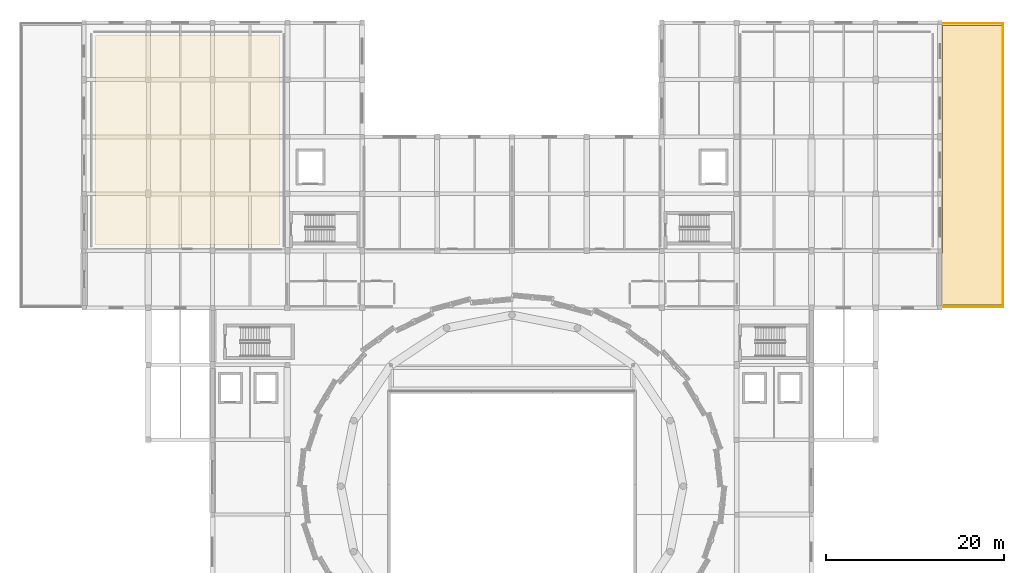
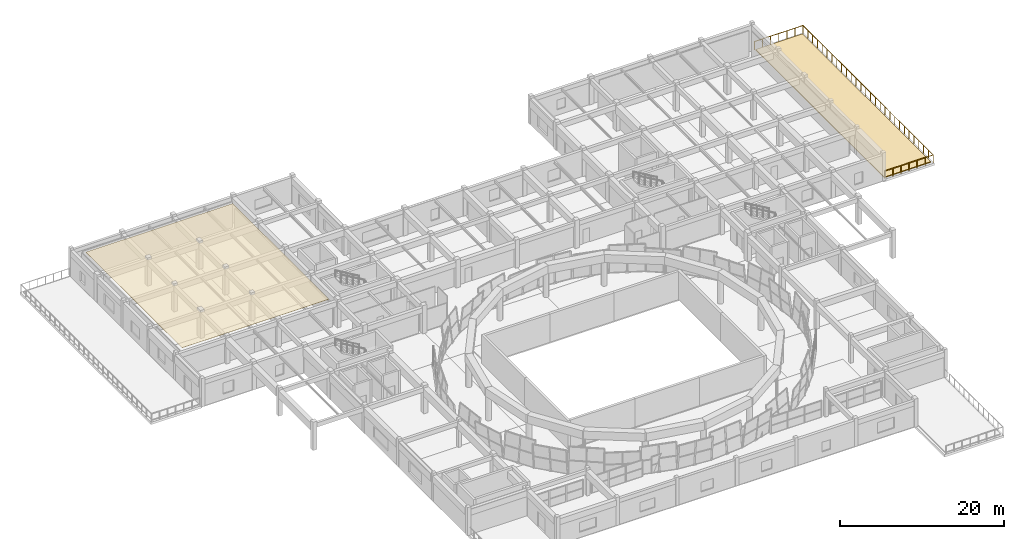
# One storey, part 40 of 40: 2 coverings, 1 railing.
"""IFC4 building model written with IfcOpenShell, lengths in metres."""

from ifc_helpers import new_model, si_unit, direction, frame, origin, origin_2d, place, context, subcontext, project, spatial, polyline, circle, outline, extrude, material, layer, layer_set, type_object, element, save


model = new_model("IFC4")

# Units and contexts
model_context = context("Model", 3, precision=1e-05, world=origin(), true_north=direction((0.0, 1.0)))
body_context = subcontext(model_context, "Body", "Model", "MODEL_VIEW")
ifc_project = project(units=[si_unit("LENGTHUNIT", "METRE"), si_unit("AREAUNIT", "SQUARE_METRE"), si_unit("VOLUMEUNIT", "CUBIC_METRE"), si_unit("PLANEANGLEUNIT", "RADIAN"), si_unit("MASSUNIT", "GRAM", prefix="KILO")], contexts=[model_context])

# Site, building, storey
site_placement = place(None, origin())
site = spatial("IfcSite", under=ifc_project, at=site_placement, CompositionType="ELEMENT")
building_placement = place(site_placement, origin())
building = spatial("IfcBuilding", under=site, at=building_placement, Name="Korsvaeld Concert Hall", CompositionType="ELEMENT")
storey_placement = place(building_placement, frame((0.0, 0.0, 13.199951171875)))
storey = spatial("IfcBuildingStorey", under=building, at=storey_placement, Name="L03", CompositionType="ELEMENT", Elevation=13.199951171875)

# Coverings
ifc_material_1 = material(Name="Suspended sculpted European oak acoustic ceiling")
ifc_layer_1 = layer(ifc_material_1, 0.044921875)
ifc_layer_set_1 = layer_set([ifc_layer_1], Name="Suspended sculpted European oak acoustic ceiling")
covering_type_1 = type_object("IfcCoveringType", Name="COV-CEIL-OAK", PredefinedType="CEILING", material=ifc_layer_set_1)
covering_1_placement = place(storey_placement, frame((0.0, 0.0, 3.8349609375)))
element("IfcCovering", 1, at=covering_1_placement, inside=storey, type_object=covering_type_1, Name="Acoustic oak reflector ceiling L03-07", PredefinedType="CEILING", context=body_context, shape_type="SweptSolid", body=[
    extrude(outline(polyline([(37.25, 113.75), (57.949951171875, 113.75), (57.949951171875, 90.25), (37.25, 90.25), (37.25, 113.75)])), origin(), (0.0, 0.0, 1.0), 0.045166015625),
])
ifc_material_2 = material(Name="Mughal-garden sedum planted green roof substrate")
ifc_layer_2 = layer(ifc_material_2, 0.1201171875)
ifc_layer_set_2 = layer_set([ifc_layer_2], Name="Mughal-garden sedum planted green roof substrate")
covering_type_2 = type_object("IfcCoveringType", Name="COV-ROOF-GREEN", PredefinedType="ROOFING", material=ifc_layer_set_2)
covering_2_placement = place(storey_placement, origin())
element("IfcCovering", 2, at=covering_2_placement, inside=storey, type_object=covering_type_2, Name="Mughal-garden green roof planting TER_L03_NE", PredefinedType="ROOFING", context=body_context, shape_type="SweptSolid", body=[
    extrude(outline(polyline([(138.89990234375, 83.5), (138.89990234375, 114.89990234375), (132.300048828125, 114.89990234375), (132.300048828125, 83.5), (138.89990234375, 83.5)])), origin(), (0.0, 0.0, 1.0), 0.1201171875),
])

# Railing
ifc_material_3 = material(Name="Anodised architectural bronze guardrail")
railing_type = type_object("IfcRailingType", Name="RL-TERR-GUARD-120", PredefinedType="GUARDRAIL", material=ifc_material_3)
railing_placement = place(storey_placement, frame((132.260009765625, 83.300048828125, 0.0)))
element("IfcRailing", 3, at=railing_placement, inside=storey, type_object=railing_type, Name="Planted terrace bronze guardrail TER_L03_NE", PredefinedType="GUARDRAIL", context=body_context, shape_type="SweptSolid", body=[
    extrude(circle(Radius=0.02392578125, at=origin_2d()), frame((0.0, 0.0, 1.17578125), z_axis=(1.0, 0.0, 0.0), x_axis=(0.0, 1.0, 0.0)), (0.0, 0.0, 1.0), 6.840087890625),
    extrude(circle(Radius=0.02392578125, at=origin_2d()), frame((6.840087890625, 0.0, 1.17578125), z_axis=(0.0, 1.0, 0.0), x_axis=(-1.0, 0.0, 0.0)), (0.0, 0.0, 1.0), 31.800048828125),
    extrude(circle(Radius=0.02392578125, at=origin_2d()), frame((6.840087890625, 31.800048828125, 1.17578125), z_axis=(-1.0, 0.0, 0.0), x_axis=(0.0, -1.0, 0.0)), (0.0, 0.0, 1.0), 6.840087890625),
    extrude(circle(Radius=0.02099609375, at=origin_2d()), origin(), (0.0, 0.0, 1.0), 1.15185546875),
    extrude(circle(Radius=0.02099609375, at=origin_2d()), frame((1.14013671875, 0.0, 0.0)), (0.0, 0.0, 1.0), 1.15185546875),
    extrude(circle(Radius=0.02099609375, at=origin_2d()), frame((2.280029296875, 0.0, 0.0)), (0.0, 0.0, 1.0), 1.15185546875),
    extrude(circle(Radius=0.02099609375, at=origin_2d()), frame((3.419921875, 0.0, 0.0)), (0.0, 0.0, 1.0), 1.15185546875),
    extrude(circle(Radius=0.02099609375, at=origin_2d()), frame((4.56005859375, 0.0, 0.0)), (0.0, 0.0, 1.0), 1.15185546875),
    extrude(circle(Radius=0.02099609375, at=origin_2d()), frame((5.7001953125, 0.0, 0.0)), (0.0, 0.0, 1.0), 1.15185546875),
    extrude(circle(Radius=0.02099609375, at=origin_2d()), frame((6.840087890625, 0.0, 0.0)), (0.0, 0.0, 1.0), 1.15185546875),
    extrude(circle(Radius=0.02099609375, at=origin_2d()), frame((6.840087890625, 1.177734375, 0.0)), (0.0, 0.0, 1.0), 1.15185546875),
    extrude(circle(Radius=0.02099609375, at=origin_2d()), frame((6.840087890625, 2.35546875, 0.0)), (0.0, 0.0, 1.0), 1.15185546875),
    extrude(circle(Radius=0.02099609375, at=origin_2d()), frame((6.840087890625, 3.533447265625, 0.0)), (0.0, 0.0, 1.0), 1.15185546875),
    extrude(circle(Radius=0.02099609375, at=origin_2d()), frame((6.840087890625, 4.711181640625, 0.0)), (0.0, 0.0, 1.0), 1.15185546875),
    extrude(circle(Radius=0.02099609375, at=origin_2d()), frame((6.840087890625, 5.888916015625, 0.0)), (0.0, 0.0, 1.0), 1.15185546875),
    extrude(circle(Radius=0.02099609375, at=origin_2d()), frame((6.840087890625, 7.066650390625, 0.0)), (0.0, 0.0, 1.0), 1.15185546875),
    extrude(circle(Radius=0.02099609375, at=origin_2d()), frame((6.840087890625, 8.244384765625, 0.0)), (0.0, 0.0, 1.0), 1.15185546875),
    extrude(circle(Radius=0.02099609375, at=origin_2d()), frame((6.840087890625, 9.422119140625, 0.0)), (0.0, 0.0, 1.0), 1.15185546875),
    extrude(circle(Radius=0.02099609375, at=origin_2d()), frame((6.840087890625, 10.60009765625, 0.0)), (0.0, 0.0, 1.0), 1.15185546875),
    extrude(circle(Radius=0.02099609375, at=origin_2d()), frame((6.840087890625, 11.77783203125, 0.0)), (0.0, 0.0, 1.0), 1.15185546875),
    extrude(circle(Radius=0.02099609375, at=origin_2d()), frame((6.840087890625, 12.95556640625, 0.0)), (0.0, 0.0, 1.0), 1.15185546875),
    extrude(circle(Radius=0.02099609375, at=origin_2d()), frame((6.840087890625, 14.13330078125, 0.0)), (0.0, 0.0, 1.0), 1.15185546875),
    extrude(circle(Radius=0.02099609375, at=origin_2d()), frame((6.840087890625, 15.31103515625, 0.0)), (0.0, 0.0, 1.0), 1.15185546875),
    extrude(circle(Radius=0.02099609375, at=origin_2d()), frame((6.840087890625, 16.489013671875, 0.0)), (0.0, 0.0, 1.0), 1.15185546875),
    extrude(circle(Radius=0.02099609375, at=origin_2d()), frame((6.840087890625, 17.666748046875, 0.0)), (0.0, 0.0, 1.0), 1.15185546875),
    extrude(circle(Radius=0.02099609375, at=origin_2d()), frame((6.840087890625, 18.844482421875, 0.0)), (0.0, 0.0, 1.0), 1.15185546875),
    extrude(circle(Radius=0.02099609375, at=origin_2d()), frame((6.840087890625, 20.022216796875, 0.0)), (0.0, 0.0, 1.0), 1.15185546875),
    extrude(circle(Radius=0.02099609375, at=origin_2d()), frame((6.840087890625, 21.199951171875, 0.0)), (0.0, 0.0, 1.0), 1.15185546875),
    extrude(circle(Radius=0.02099609375, at=origin_2d()), frame((6.840087890625, 22.3779296875, 0.0)), (0.0, 0.0, 1.0), 1.15185546875),
    extrude(circle(Radius=0.02099609375, at=origin_2d()), frame((6.840087890625, 23.5556640625, 0.0)), (0.0, 0.0, 1.0), 1.15185546875),
    extrude(circle(Radius=0.02099609375, at=origin_2d()), frame((6.840087890625, 24.7333984375, 0.0)), (0.0, 0.0, 1.0), 1.15185546875),
    extrude(circle(Radius=0.02099609375, at=origin_2d()), frame((6.840087890625, 25.9111328125, 0.0)), (0.0, 0.0, 1.0), 1.15185546875),
    extrude(circle(Radius=0.02099609375, at=origin_2d()), frame((6.840087890625, 27.0888671875, 0.0)), (0.0, 0.0, 1.0), 1.15185546875),
    extrude(circle(Radius=0.02099609375, at=origin_2d()), frame((6.840087890625, 28.2666015625, 0.0)), (0.0, 0.0, 1.0), 1.15185546875),
    extrude(circle(Radius=0.02099609375, at=origin_2d()), frame((6.840087890625, 29.444580078125, 0.0)), (0.0, 0.0, 1.0), 1.15185546875),
    extrude(circle(Radius=0.02099609375, at=origin_2d()), frame((6.840087890625, 30.622314453125, 0.0)), (0.0, 0.0, 1.0), 1.15185546875),
    extrude(circle(Radius=0.02099609375, at=origin_2d()), frame((6.840087890625, 31.800048828125, 0.0)), (0.0, 0.0, 1.0), 1.15185546875),
    extrude(circle(Radius=0.02099609375, at=origin_2d()), frame((5.7001953125, 31.800048828125, 0.0)), (0.0, 0.0, 1.0), 1.15185546875),
    extrude(circle(Radius=0.02099609375, at=origin_2d()), frame((4.56005859375, 31.800048828125, 0.0)), (0.0, 0.0, 1.0), 1.15185546875),
    extrude(circle(Radius=0.02099609375, at=origin_2d()), frame((3.419921875, 31.800048828125, 0.0)), (0.0, 0.0, 1.0), 1.15185546875),
    extrude(circle(Radius=0.02099609375, at=origin_2d()), frame((2.280029296875, 31.800048828125, 0.0)), (0.0, 0.0, 1.0), 1.15185546875),
    extrude(circle(Radius=0.02099609375, at=origin_2d()), frame((1.14013671875, 31.800048828125, 0.0)), (0.0, 0.0, 1.0), 1.15185546875),
    extrude(circle(Radius=0.02099609375, at=origin_2d()), frame((0.0, 31.800048828125, 0.0)), (0.0, 0.0, 1.0), 1.15185546875),
])

save(model, "model.ifc")
